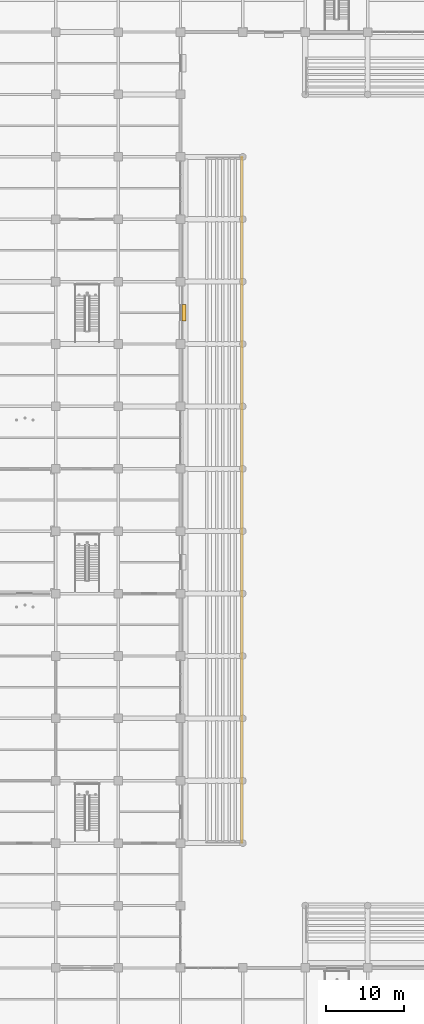
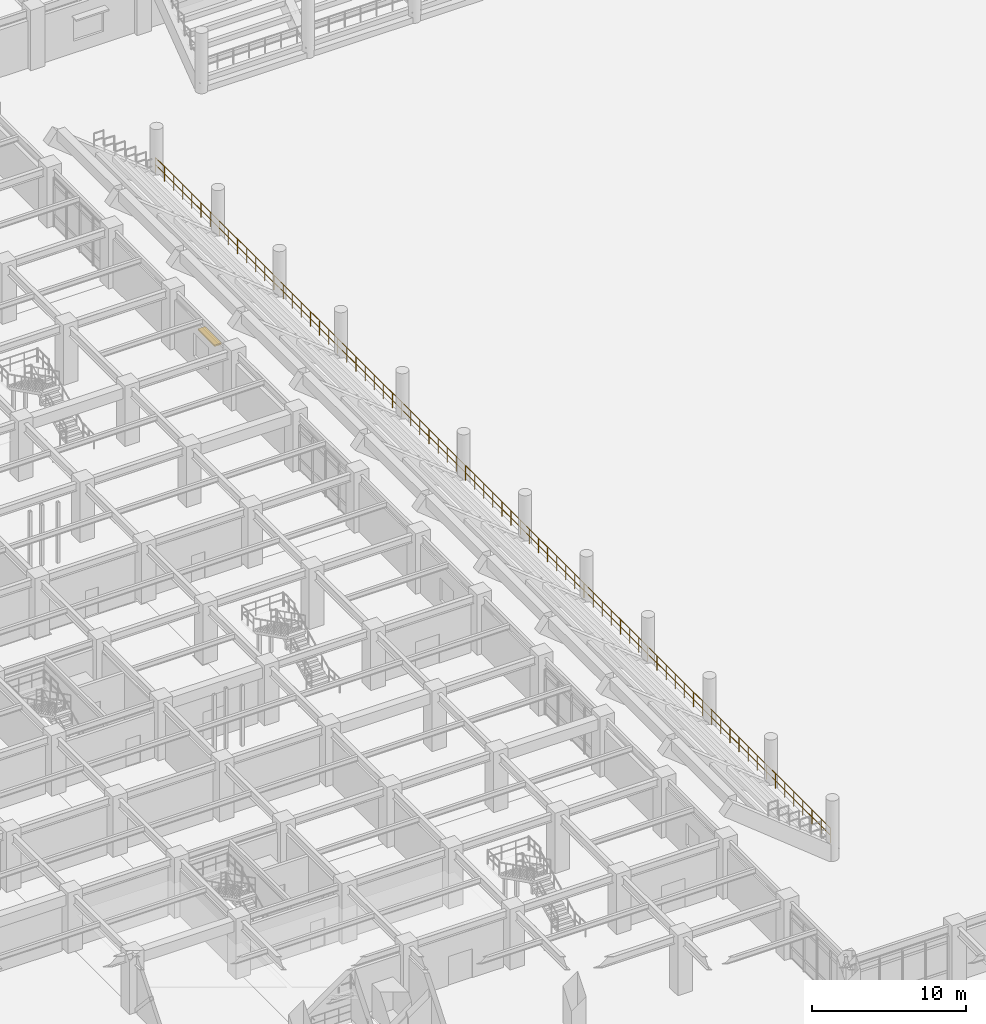
# One storey, part 111 of 125: 1 railing, 1 shading device.
"""IFC4 building model written with IfcOpenShell, lengths in metres."""

from ifc_helpers import new_model, si_unit, direction, frame, origin, origin_2d, place, context, subcontext, project, spatial, rectangle, circle, extrude, material, layer, layer_set, type_object, element, save


model = new_model("IFC4")

# Units and contexts
model_context = context("Model", 3, precision=1e-05, world=origin(), true_north=direction((0.0, 1.0)))
body_context = subcontext(model_context, "Body", "Model", "MODEL_VIEW")
ifc_project = project(units=[si_unit("LENGTHUNIT", "METRE"), si_unit("AREAUNIT", "SQUARE_METRE"), si_unit("VOLUMEUNIT", "CUBIC_METRE"), si_unit("PLANEANGLEUNIT", "RADIAN"), si_unit("MASSUNIT", "GRAM", prefix="KILO")], contexts=[model_context])

# Site, building, storey
site_placement = place(None, origin())
site = spatial("IfcSite", under=ifc_project, at=site_placement, CompositionType="ELEMENT")
building_placement = place(site_placement, origin())
building = spatial("IfcBuilding", under=site, at=building_placement, Name="Haebicheon Civic Stadium", CompositionType="ELEMENT")
storey_placement = place(building_placement, origin())
storey = spatial("IfcBuildingStorey", under=building, at=storey_placement, Name="L01", CompositionType="ELEMENT", Elevation=0.0)

# Railing
ifc_material_1 = material(Name="Stainless steel 316 and laminated glass", Category="steel")
railing_type = type_object("IfcRailingType", Name="RL-BAL-1200", PredefinedType="BALUSTRADE", material=ifc_material_1)
railing_placement = place(storey_placement, frame((71.8798828125, 48.06005859375, 1.199951171875)))
element("IfcRailing", 1, at=railing_placement, inside=storey, type_object=railing_type, material=ifc_material_1, Name="TIER-W-L pitchside sightline balustrade", PredefinedType="BALUSTRADE", context=body_context, shape_type="SweptSolid", body=[
    extrude(circle(Radius=0.02392578125, at=origin_2d()), frame((0.0, 0.0, 1.17578125), z_axis=(0.0, 1.0, 0.0), x_axis=(-1.0, 0.0, 0.0)), (0.0, 0.0, 1.0), 87.8798828125),
    extrude(circle(Radius=0.02392578125, at=origin_2d()), frame((0.0, 0.0, 0.60009765625), z_axis=(0.0, 1.0, 0.0), x_axis=(-1.0, 0.0, 0.0)), (0.0, 0.0, 1.0), 87.8798828125),
    extrude(circle(Radius=0.02099609375, at=origin_2d()), origin(), (0.0, 0.0, 1.0), 1.15185546875),
    extrude(circle(Radius=0.02099609375, at=origin_2d()), frame((0.0, 1.1875, 0.0)), (0.0, 0.0, 1.0), 1.15185546875),
    extrude(circle(Radius=0.02099609375, at=origin_2d()), frame((0.0, 2.375244140625, 0.0)), (0.0, 0.0, 1.0), 1.15185546875),
    extrude(circle(Radius=0.02099609375, at=origin_2d()), frame((0.0, 3.562744140625, 0.0)), (0.0, 0.0, 1.0), 1.15185546875),
    extrude(circle(Radius=0.02099609375, at=origin_2d()), frame((0.0, 4.750244140625, 0.0)), (0.0, 0.0, 1.0), 1.15185546875),
    extrude(circle(Radius=0.02099609375, at=origin_2d()), frame((0.0, 5.937744140625, 0.0)), (0.0, 0.0, 1.0), 1.15185546875),
    extrude(circle(Radius=0.02099609375, at=origin_2d()), frame((0.0, 7.12548828125, 0.0)), (0.0, 0.0, 1.0), 1.15185546875),
    extrude(circle(Radius=0.02099609375, at=origin_2d()), frame((0.0, 8.31298828125, 0.0)), (0.0, 0.0, 1.0), 1.15185546875),
    extrude(circle(Radius=0.02099609375, at=origin_2d()), frame((0.0, 9.50048828125, 0.0)), (0.0, 0.0, 1.0), 1.15185546875),
    extrude(circle(Radius=0.02099609375, at=origin_2d()), frame((0.0, 10.68798828125, 0.0)), (0.0, 0.0, 1.0), 1.15185546875),
    extrude(circle(Radius=0.02099609375, at=origin_2d()), frame((0.0, 11.875732421875, 0.0)), (0.0, 0.0, 1.0), 1.15185546875),
    extrude(circle(Radius=0.02099609375, at=origin_2d()), frame((0.0, 13.063232421875, 0.0)), (0.0, 0.0, 1.0), 1.15185546875),
    extrude(circle(Radius=0.02099609375, at=origin_2d()), frame((0.0, 14.250732421875, 0.0)), (0.0, 0.0, 1.0), 1.15185546875),
    extrude(circle(Radius=0.02099609375, at=origin_2d()), frame((0.0, 15.4384765625, 0.0)), (0.0, 0.0, 1.0), 1.15185546875),
    extrude(circle(Radius=0.02099609375, at=origin_2d()), frame((0.0, 16.6259765625, 0.0)), (0.0, 0.0, 1.0), 1.15185546875),
    extrude(circle(Radius=0.02099609375, at=origin_2d()), frame((0.0, 17.8134765625, 0.0)), (0.0, 0.0, 1.0), 1.15185546875),
    extrude(circle(Radius=0.02099609375, at=origin_2d()), frame((0.0, 19.0009765625, 0.0)), (0.0, 0.0, 1.0), 1.15185546875),
    extrude(circle(Radius=0.02099609375, at=origin_2d()), frame((0.0, 20.188720703125, 0.0)), (0.0, 0.0, 1.0), 1.15185546875),
    extrude(circle(Radius=0.02099609375, at=origin_2d()), frame((0.0, 21.376220703125, 0.0)), (0.0, 0.0, 1.0), 1.15185546875),
    extrude(circle(Radius=0.02099609375, at=origin_2d()), frame((0.0, 22.563720703125, 0.0)), (0.0, 0.0, 1.0), 1.15185546875),
    extrude(circle(Radius=0.02099609375, at=origin_2d()), frame((0.0, 23.751220703125, 0.0)), (0.0, 0.0, 1.0), 1.15185546875),
    extrude(circle(Radius=0.02099609375, at=origin_2d()), frame((0.0, 24.93896484375, 0.0)), (0.0, 0.0, 1.0), 1.15185546875),
    extrude(circle(Radius=0.02099609375, at=origin_2d()), frame((0.0, 26.12646484375, 0.0)), (0.0, 0.0, 1.0), 1.15185546875),
    extrude(circle(Radius=0.02099609375, at=origin_2d()), frame((0.0, 27.31396484375, 0.0)), (0.0, 0.0, 1.0), 1.15185546875),
    extrude(circle(Radius=0.02099609375, at=origin_2d()), frame((0.0, 28.50146484375, 0.0)), (0.0, 0.0, 1.0), 1.15185546875),
    extrude(circle(Radius=0.02099609375, at=origin_2d()), frame((0.0, 29.689208984375, 0.0)), (0.0, 0.0, 1.0), 1.15185546875),
    extrude(circle(Radius=0.02099609375, at=origin_2d()), frame((0.0, 30.876708984375, 0.0)), (0.0, 0.0, 1.0), 1.15185546875),
    extrude(circle(Radius=0.02099609375, at=origin_2d()), frame((0.0, 32.064208984375, 0.0)), (0.0, 0.0, 1.0), 1.15185546875),
    extrude(circle(Radius=0.02099609375, at=origin_2d()), frame((0.0, 33.251953125, 0.0)), (0.0, 0.0, 1.0), 1.15185546875),
    extrude(circle(Radius=0.02099609375, at=origin_2d()), frame((0.0, 34.439453125, 0.0)), (0.0, 0.0, 1.0), 1.15185546875),
    extrude(circle(Radius=0.02099609375, at=origin_2d()), frame((0.0, 35.626953125, 0.0)), (0.0, 0.0, 1.0), 1.15185546875),
    extrude(circle(Radius=0.02099609375, at=origin_2d()), frame((0.0, 36.814453125, 0.0)), (0.0, 0.0, 1.0), 1.15185546875),
    extrude(circle(Radius=0.02099609375, at=origin_2d()), frame((0.0, 38.002197265625, 0.0)), (0.0, 0.0, 1.0), 1.15185546875),
    extrude(circle(Radius=0.02099609375, at=origin_2d()), frame((0.0, 39.189697265625, 0.0)), (0.0, 0.0, 1.0), 1.15185546875),
    extrude(circle(Radius=0.02099609375, at=origin_2d()), frame((0.0, 40.377197265625, 0.0)), (0.0, 0.0, 1.0), 1.15185546875),
    extrude(circle(Radius=0.02099609375, at=origin_2d()), frame((0.0, 41.564697265625, 0.0)), (0.0, 0.0, 1.0), 1.15185546875),
    extrude(circle(Radius=0.02099609375, at=origin_2d()), frame((0.0, 42.75244140625, 0.0)), (0.0, 0.0, 1.0), 1.15185546875),
    extrude(circle(Radius=0.02099609375, at=origin_2d()), frame((0.0, 43.93994140625, 0.0)), (0.0, 0.0, 1.0), 1.15185546875),
    extrude(circle(Radius=0.02099609375, at=origin_2d()), frame((0.0, 45.12744140625, 0.0)), (0.0, 0.0, 1.0), 1.15185546875),
    extrude(circle(Radius=0.02099609375, at=origin_2d()), frame((0.0, 46.315185546875, 0.0)), (0.0, 0.0, 1.0), 1.15185546875),
    extrude(circle(Radius=0.02099609375, at=origin_2d()), frame((0.0, 47.502685546875, 0.0)), (0.0, 0.0, 1.0), 1.15185546875),
    extrude(circle(Radius=0.02099609375, at=origin_2d()), frame((0.0, 48.690185546875, 0.0)), (0.0, 0.0, 1.0), 1.15185546875),
    extrude(circle(Radius=0.02099609375, at=origin_2d()), frame((0.0, 49.877685546875, 0.0)), (0.0, 0.0, 1.0), 1.15185546875),
    extrude(circle(Radius=0.02099609375, at=origin_2d()), frame((0.0, 51.0654296875, 0.0)), (0.0, 0.0, 1.0), 1.15185546875),
    extrude(circle(Radius=0.02099609375, at=origin_2d()), frame((0.0, 52.2529296875, 0.0)), (0.0, 0.0, 1.0), 1.15185546875),
    extrude(circle(Radius=0.02099609375, at=origin_2d()), frame((0.0, 53.4404296875, 0.0)), (0.0, 0.0, 1.0), 1.15185546875),
    extrude(circle(Radius=0.02099609375, at=origin_2d()), frame((0.0, 54.6279296875, 0.0)), (0.0, 0.0, 1.0), 1.15185546875),
    extrude(circle(Radius=0.02099609375, at=origin_2d()), frame((0.0, 55.815673828125, 0.0)), (0.0, 0.0, 1.0), 1.15185546875),
    extrude(circle(Radius=0.02099609375, at=origin_2d()), frame((0.0, 57.003173828125, 0.0)), (0.0, 0.0, 1.0), 1.15185546875),
    extrude(circle(Radius=0.02099609375, at=origin_2d()), frame((0.0, 58.190673828125, 0.0)), (0.0, 0.0, 1.0), 1.15185546875),
    extrude(circle(Radius=0.02099609375, at=origin_2d()), frame((0.0, 59.37841796875, 0.0)), (0.0, 0.0, 1.0), 1.15185546875),
    extrude(circle(Radius=0.02099609375, at=origin_2d()), frame((0.0, 60.56591796875, 0.0)), (0.0, 0.0, 1.0), 1.15185546875),
    extrude(circle(Radius=0.02099609375, at=origin_2d()), frame((0.0, 61.75341796875, 0.0)), (0.0, 0.0, 1.0), 1.15185546875),
    extrude(circle(Radius=0.02099609375, at=origin_2d()), frame((0.0, 62.94091796875, 0.0)), (0.0, 0.0, 1.0), 1.15185546875),
    extrude(circle(Radius=0.02099609375, at=origin_2d()), frame((0.0, 64.128662109375, 0.0)), (0.0, 0.0, 1.0), 1.15185546875),
    extrude(circle(Radius=0.02099609375, at=origin_2d()), frame((0.0, 65.316162109375, 0.0)), (0.0, 0.0, 1.0), 1.15185546875),
    extrude(circle(Radius=0.02099609375, at=origin_2d()), frame((0.0, 66.503662109375, 0.0)), (0.0, 0.0, 1.0), 1.15185546875),
    extrude(circle(Radius=0.02099609375, at=origin_2d()), frame((0.0, 67.691162109375, 0.0)), (0.0, 0.0, 1.0), 1.15185546875),
    extrude(circle(Radius=0.02099609375, at=origin_2d()), frame((0.0, 68.87890625, 0.0)), (0.0, 0.0, 1.0), 1.15185546875),
    extrude(circle(Radius=0.02099609375, at=origin_2d()), frame((0.0, 70.06640625, 0.0)), (0.0, 0.0, 1.0), 1.15185546875),
    extrude(circle(Radius=0.02099609375, at=origin_2d()), frame((0.0, 71.25390625, 0.0)), (0.0, 0.0, 1.0), 1.15185546875),
    extrude(circle(Radius=0.02099609375, at=origin_2d()), frame((0.0, 72.44140625, 0.0)), (0.0, 0.0, 1.0), 1.15185546875),
    extrude(circle(Radius=0.02099609375, at=origin_2d()), frame((0.0, 73.629150390625, 0.0)), (0.0, 0.0, 1.0), 1.15185546875),
    extrude(circle(Radius=0.02099609375, at=origin_2d()), frame((0.0, 74.816650390625, 0.0)), (0.0, 0.0, 1.0), 1.15185546875),
    extrude(circle(Radius=0.02099609375, at=origin_2d()), frame((0.0, 76.004150390625, 0.0)), (0.0, 0.0, 1.0), 1.15185546875),
    extrude(circle(Radius=0.02099609375, at=origin_2d()), frame((0.0, 77.19189453125, 0.0)), (0.0, 0.0, 1.0), 1.15185546875),
    extrude(circle(Radius=0.02099609375, at=origin_2d()), frame((0.0, 78.37939453125, 0.0)), (0.0, 0.0, 1.0), 1.15185546875),
    extrude(circle(Radius=0.02099609375, at=origin_2d()), frame((0.0, 79.56689453125, 0.0)), (0.0, 0.0, 1.0), 1.15185546875),
    extrude(circle(Radius=0.02099609375, at=origin_2d()), frame((0.0, 80.75439453125, 0.0)), (0.0, 0.0, 1.0), 1.15185546875),
    extrude(circle(Radius=0.02099609375, at=origin_2d()), frame((0.0, 81.942138671875, 0.0)), (0.0, 0.0, 1.0), 1.15185546875),
    extrude(circle(Radius=0.02099609375, at=origin_2d()), frame((0.0, 83.129638671875, 0.0)), (0.0, 0.0, 1.0), 1.15185546875),
    extrude(circle(Radius=0.02099609375, at=origin_2d()), frame((0.0, 84.317138671875, 0.0)), (0.0, 0.0, 1.0), 1.15185546875),
    extrude(circle(Radius=0.02099609375, at=origin_2d()), frame((0.0, 85.504638671875, 0.0)), (0.0, 0.0, 1.0), 1.15185546875),
    extrude(circle(Radius=0.02099609375, at=origin_2d()), frame((0.0, 86.6923828125, 0.0)), (0.0, 0.0, 1.0), 1.15185546875),
    extrude(circle(Radius=0.02099609375, at=origin_2d()), frame((0.0, 87.8798828125, 0.0)), (0.0, 0.0, 1.0), 1.15185546875),
])

# Shading device
ifc_material_2 = material(Name="Anodised aluminium 6063-T6", Category="aluminium")
ifc_layer = layer(ifc_material_2, 0.1201171875, Name="Anodised aluminium 6063-T6")
ifc_layer_set = layer_set([ifc_layer], Name="Anodised aluminium 6063-T6")
shading_device_type = type_object("IfcShadingDeviceType", Name="SHD-ALU-LVR", PredefinedType="USERDEFINED", material=ifc_layer_set)
shading_device_placement = place(storey_placement, frame((64.455078125, 116.0, 2.77001953125), z_axis=(0.0, 0.0, 1.0), x_axis=(1.0, 0.0, 0.0)))
element("IfcShadingDevice", 2, at=shading_device_placement, inside=storey, type_object=shading_device_type, material=ifc_layer_set, Name="L01 window sunshade louvre hood 02", ObjectType="LOUVRE", PredefinedType="USERDEFINED", context=body_context, shape_type="SweptSolid", body=[
    extrude(rectangle(XDim=0.550048828125, YDim=2.14990234375, at=origin_2d()), origin(), (0.0, 0.0, 1.0), 0.1201171875),
])

save(model, "model.ifc")
